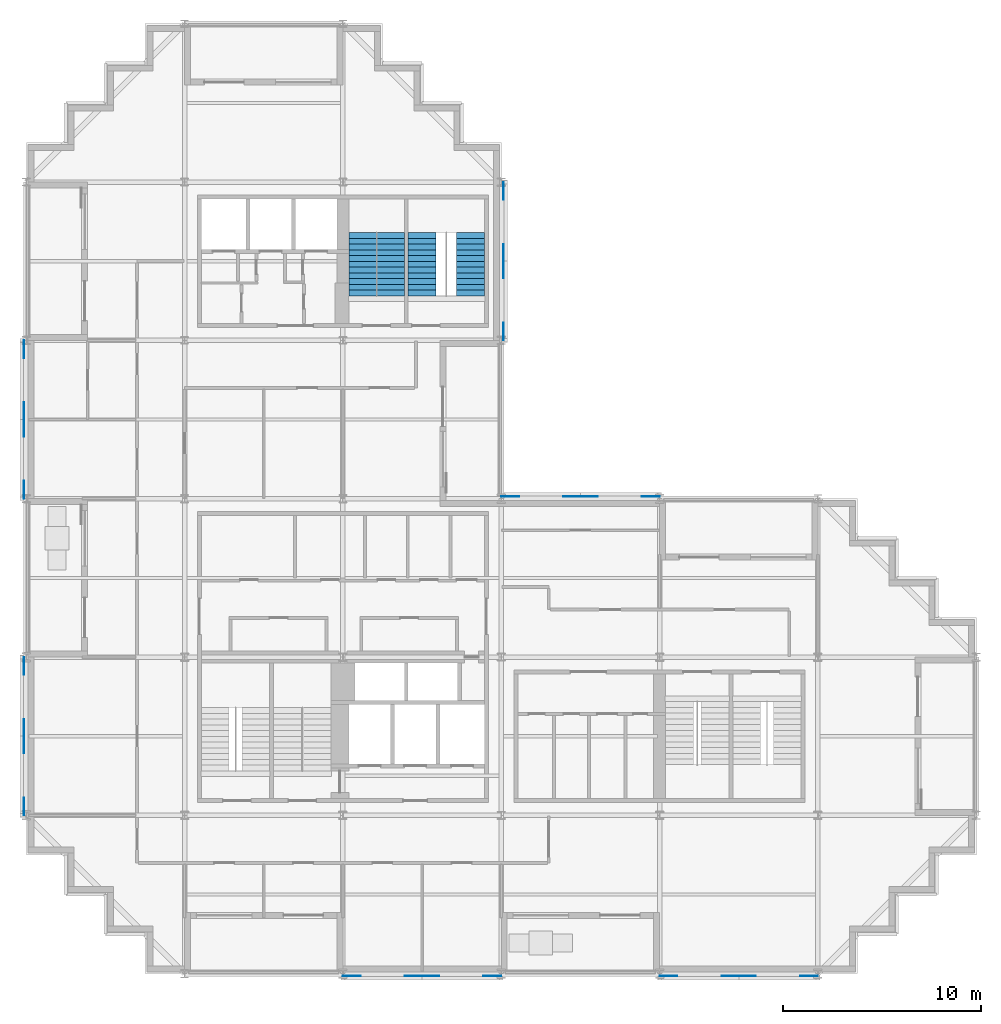
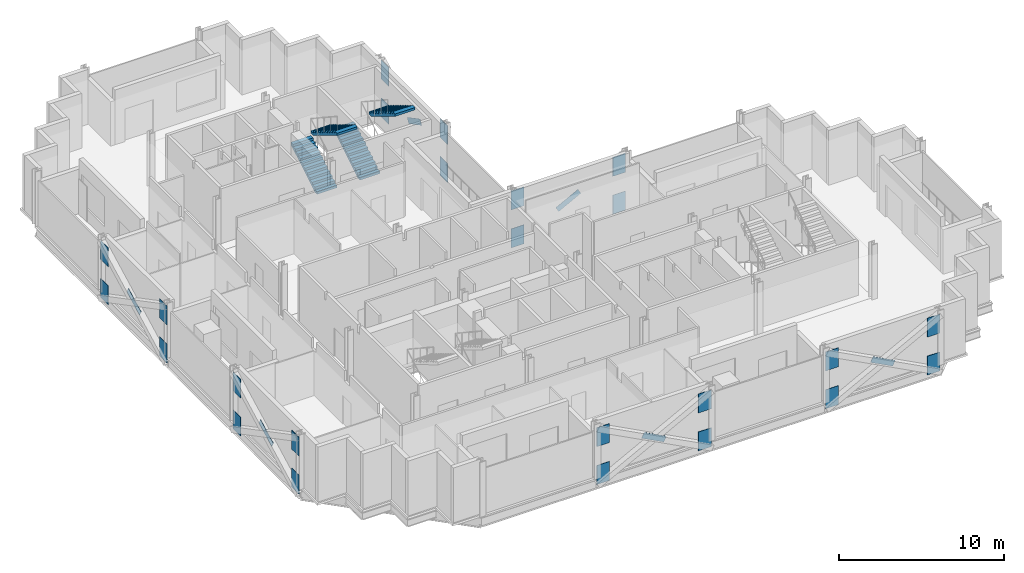
# One storey, part 10 of 13: 30 discrete accessories, 4 stair flights, 2 elements without a shape of their own.
"""IFC4 building model written with IfcOpenShell, lengths in metres."""

from ifc_helpers import new_model, si_unit, direction, frame, origin, origin_2d, place, context, subcontext, project, spatial, polyline, rectangle, outline, extrude, material, material_profile, profile_set, type_object, element, aggregate, save


model = new_model("IFC4")

# Units and contexts
model_context = context("Model", 3, precision=1e-05, world=origin(), true_north=direction((0.0, 1.0)))
body_context = subcontext(model_context, "Body", "Model", "MODEL_VIEW")
ifc_project = project(units=[si_unit("LENGTHUNIT", "METRE"), si_unit("AREAUNIT", "SQUARE_METRE"), si_unit("VOLUMEUNIT", "CUBIC_METRE"), si_unit("PLANEANGLEUNIT", "RADIAN"), si_unit("MASSUNIT", "GRAM", prefix="KILO")], contexts=[model_context])

# Site, building, storey
site_placement = place(None, origin())
site = spatial("IfcSite", under=ifc_project, at=site_placement, CompositionType="ELEMENT")
building_placement = place(site_placement, origin())
building = spatial("IfcBuilding", under=site, at=building_placement, Name="Immortelle Media Tower", CompositionType="ELEMENT")
storey_placement = place(building_placement, frame((0.0, 0.0, 128.39990234375)))
storey = spatial("IfcBuildingStorey", under=building, at=storey_placement, Name="L25", CompositionType="ELEMENT", Elevation=128.39990234375)

# Stair, stair flights
ifc_material_1 = material(Name="Steel ASTM A992 Gr 50", Category="steel")
stair_type = type_object("IfcStairType", Name="Stair with flights", PredefinedType="DOUBLE_RETURN_STAIR", material=ifc_material_1)
stair_1_placement = place(storey_placement, origin())
stair_1 = element("IfcStair", 1, at=stair_1_placement, inside=storey, type_object=stair_type, Name="Exit stair NW1", PredefinedType="DOUBLE_RETURN_STAIR")
stair_flight_type = type_object("IfcStairFlightType", Name="Stair flight 1400", PredefinedType="STRAIGHT", material=ifc_material_1)
stair_flight_1_placement = place(storey_placement, frame((17.0, 34.25, 0.0), z_axis=(0.0, 0.0, 1.0), x_axis=(0.0, 1.0, 0.0)))
stair_flight_1 = element("IfcStairFlight", 2, at=stair_flight_1_placement, type_object=stair_flight_type, Name="ST NW1 flight 1", NumberOfRisers=12, NumberOfTreads=11, PredefinedType="STRAIGHT", RiserHeight=0.175, TreadLength=0.29, context=body_context, shape_type="SweptSolid", body=[
    extrude(outline(polyline([(0.0, 0.0), (0.0, 0.175048828125), (0.2900390625, 0.175048828125), (0.2900390625, 0.35009765625), (0.580078125, 0.35009765625), (0.580078125, 0.52490234375), (0.8701171875, 0.52490234375), (0.8701171875, 0.699951171875), (1.159912109375, 0.699951171875), (1.159912109375, 0.875), (1.449951171875, 0.875), (1.449951171875, 1.050048828125), (1.739990234375, 1.050048828125), (1.739990234375, 1.22509765625), (2.030029296875, 1.22509765625), (2.030029296875, 1.39990234375), (2.320068359375, 1.39990234375), (2.320068359375, 1.574951171875), (2.610107421875, 1.574951171875), (2.610107421875, 1.75), (2.89990234375, 1.75), (2.89990234375, 1.925048828125), (3.18994140625, 1.925048828125), (3.18994140625, 2.10009765625), (3.18994140625, 1.75), (0.2900390625, 0.0), (0.0, 0.0)])), frame((0.0, 0.699951171875, 0.0), z_axis=(0.0, -1.0, 0.0), x_axis=(1.0, 0.0, 0.0)), (0.0, 0.0, 1.0), 1.39990234375),
])
stair_flight_2_placement = place(storey_placement, frame((18.39990234375, 37.43994140625, 2.10009765625), z_axis=(0.0, 0.0, 1.0), x_axis=(0.0, -1.0, 0.0)))
stair_flight_2 = element("IfcStairFlight", 3, at=stair_flight_2_placement, type_object=stair_flight_type, Name="ST NW1 flight 2", NumberOfRisers=12, NumberOfTreads=11, PredefinedType="STRAIGHT", RiserHeight=0.175, TreadLength=0.29, context=body_context, shape_type="SweptSolid", body=[
    extrude(outline(polyline([(0.0, 0.0), (0.0, 0.175048828125), (0.2900390625, 0.175048828125), (0.2900390625, 0.35009765625), (0.580078125, 0.35009765625), (0.580078125, 0.52490234375), (0.8701171875, 0.52490234375), (0.8701171875, 0.699951171875), (1.159912109375, 0.699951171875), (1.159912109375, 0.875), (1.449951171875, 0.875), (1.449951171875, 1.050048828125), (1.739990234375, 1.050048828125), (1.739990234375, 1.22509765625), (2.030029296875, 1.22509765625), (2.030029296875, 1.39990234375), (2.320068359375, 1.39990234375), (2.320068359375, 1.574951171875), (2.610107421875, 1.574951171875), (2.610107421875, 1.75), (2.89990234375, 1.75), (2.89990234375, 1.925048828125), (3.18994140625, 1.925048828125), (3.18994140625, 2.10009765625), (3.18994140625, 1.75), (0.2900390625, 0.0), (0.0, 0.0)])), frame((0.0, 0.699951171875, 0.0), z_axis=(0.0, -1.0, 0.0), x_axis=(1.0, 0.0, 0.0)), (0.0, 0.0, 1.0), 1.39990234375),
])
aggregate(stair_1, [stair_flight_1, stair_flight_2])

stair_2_placement = place(storey_placement, origin())
stair_2 = element("IfcStair", 4, at=stair_2_placement, inside=storey, type_object=stair_type, Name="Exit stair NW2", PredefinedType="DOUBLE_RETURN_STAIR")
stair_flight_3_placement = place(storey_placement, frame((20.0, 34.25, 0.0), z_axis=(0.0, 0.0, 1.0), x_axis=(0.0, 1.0, 0.0)))
stair_flight_3 = element("IfcStairFlight", 5, at=stair_flight_3_placement, type_object=stair_flight_type, Name="ST NW2 flight 1", NumberOfRisers=12, NumberOfTreads=11, PredefinedType="STRAIGHT", RiserHeight=0.175, TreadLength=0.29, context=body_context, shape_type="SweptSolid", body=[
    extrude(outline(polyline([(0.0, 0.0), (0.0, 0.175048828125), (0.2900390625, 0.175048828125), (0.2900390625, 0.35009765625), (0.580078125, 0.35009765625), (0.580078125, 0.52490234375), (0.8701171875, 0.52490234375), (0.8701171875, 0.699951171875), (1.159912109375, 0.699951171875), (1.159912109375, 0.875), (1.449951171875, 0.875), (1.449951171875, 1.050048828125), (1.739990234375, 1.050048828125), (1.739990234375, 1.22509765625), (2.030029296875, 1.22509765625), (2.030029296875, 1.39990234375), (2.320068359375, 1.39990234375), (2.320068359375, 1.574951171875), (2.610107421875, 1.574951171875), (2.610107421875, 1.75), (2.89990234375, 1.75), (2.89990234375, 1.925048828125), (3.18994140625, 1.925048828125), (3.18994140625, 2.10009765625), (3.18994140625, 1.75), (0.2900390625, 0.0), (0.0, 0.0)])), frame((0.0, 0.699951171875, 0.0), z_axis=(0.0, -1.0, 0.0), x_axis=(1.0, 0.0, 0.0)), (0.0, 0.0, 1.0), 1.39990234375),
])
stair_flight_4_placement = place(storey_placement, frame((22.449951171875, 37.43994140625, 2.10009765625), z_axis=(0.0, 0.0, 1.0), x_axis=(0.0, -1.0, 0.0)))
stair_flight_4 = element("IfcStairFlight", 6, at=stair_flight_4_placement, type_object=stair_flight_type, Name="ST NW2 flight 2", NumberOfRisers=12, NumberOfTreads=11, PredefinedType="STRAIGHT", RiserHeight=0.175, TreadLength=0.29, context=body_context, shape_type="SweptSolid", body=[
    extrude(outline(polyline([(0.0, 0.0), (0.0, 0.175048828125), (0.2900390625, 0.175048828125), (0.2900390625, 0.35009765625), (0.580078125, 0.35009765625), (0.580078125, 0.52490234375), (0.8701171875, 0.52490234375), (0.8701171875, 0.699951171875), (1.159912109375, 0.699951171875), (1.159912109375, 0.875), (1.449951171875, 0.875), (1.449951171875, 1.050048828125), (1.739990234375, 1.050048828125), (1.739990234375, 1.22509765625), (2.030029296875, 1.22509765625), (2.030029296875, 1.39990234375), (2.320068359375, 1.39990234375), (2.320068359375, 1.574951171875), (2.610107421875, 1.574951171875), (2.610107421875, 1.75), (2.89990234375, 1.75), (2.89990234375, 1.925048828125), (3.18994140625, 1.925048828125), (3.18994140625, 2.10009765625), (3.18994140625, 1.75), (0.2900390625, 0.0), (0.0, 0.0)])), frame((0.0, 0.699951171875, 0.0), z_axis=(0.0, -1.0, 0.0), x_axis=(1.0, 0.0, 0.0)), (0.0, 0.0, 1.0), 1.39990234375),
])
aggregate(stair_2, [stair_flight_3, stair_flight_4])

# Discrete accessories
ifc_material_2 = material(Name="Steel ASTM A572 Gr 50", Category="steel")
ifc_material_profile_1 = material_profile(ifc_material_2, rectangle(XDim=0.02392578125, YDim=0.406005859375, at=origin_2d()), Name="PL 24 x 406")
ifc_profile_set_1 = profile_set([ifc_material_profile_1], Name="Steel ASTM A572 Gr 50")
discrete_accessory_type_1 = type_object("IfcDiscreteAccessoryType", Name="Crossing plate XP-BR4 1750 x 406 x 24", PredefinedType="USERDEFINED", material=ifc_profile_set_1)
for number, where, z_axis, x_axis, name in (
    (7, (28.774658203125, 24.113037109375, 2.01025390625), (-0.885377804934, 0.0, -0.464872178701), (0.0, -1.0, 0.0), "Crossing plate XP-BR4 of Brace D/4-5 A and Brace D/4-5 B"),
    (8, (24.113037109375, 35.225341796875, 2.01025390625), (0.0, 0.885377804934, -0.464872178701), (-1.0, 0.0, 0.0), "Crossing plate XP-BR4 of Brace 4/E-F A and Brace 4/E-F B"),
    (9, (-0.113037109375, 28.774658203125, 2.01025390625), (0.0, -0.885377804934, -0.464872178701), (1.0, 0.0, 0.0), "Crossing plate XP-BR4 of Brace 1/D-E A and Brace 1/D-E B"),
    (10, (-0.113037109375, 12.774658203125, 2.01025390625), (0.0, -0.885377804934, -0.464872178701), (1.0, 0.0, 0.0), "Crossing plate XP-BR4 of Brace 1/B-C A and Brace 1/B-C B"),
    (11, (19.225341796875, -0.113037109375, 2.01025390625), (0.885377804934, 0.0, -0.464872178701), (0.0, 1.0, 0.0), "Crossing plate XP-BR4 of Brace A/3-4 A and Brace A/3-4 B"),
    (12, (35.225341796875, -0.113037109375, 2.01025390625), (0.885377804934, 0.0, -0.464872178701), (0.0, 1.0, 0.0), "Crossing plate XP-BR4 of Brace A/5-6 A and Brace A/5-6 B"),
):
    element("IfcDiscreteAccessory", number, at=place(storey_placement, frame(where, z_axis=z_axis, x_axis=x_axis)), inside=storey, type_object=discrete_accessory_type_1, Name=name, ObjectType="CROSSING PLATE", PredefinedType="USERDEFINED", context=body_context, shape_type="SweptSolid", body=[
        extrude(rectangle(XDim=0.02392578125, YDim=0.406005859375, at=origin_2d()), origin(), (0.0, 0.0, 1.0), 1.75),
    ])
ifc_material_profile_2 = material_profile(ifc_material_2, rectangle(XDim=0.031982421875, YDim=1.39990234375, at=origin_2d()), Name="PL 32 x 1400")
ifc_profile_set_2 = profile_set([ifc_material_profile_2], Name="Steel ASTM A572 Gr 50")
discrete_accessory_type_2 = type_object("IfcDiscreteAccessoryType", Name="Gusset plate GP1 900 x 1400 x 32", PredefinedType="USERDEFINED", material=ifc_profile_set_2)
for number, where, z_axis, x_axis, name in (
    (13, (16.0, -0.113037109375, 0.20361328125), (1.0, 0.0, 0.0), (0.0, 1.0, 0.0), "Gusset plate GP1, lower end of Brace A/3-4 A"),
    (14, (24.0, -0.113037109375, 3.003662109375), (-1.0, 0.0, 0.0), (0.0, -1.0, 0.0), "Gusset plate GP1, upper end of Brace A/3-4 A"),
    (15, (24.0, -0.113037109375, 0.20361328125), (-1.0, 0.0, 0.0), (0.0, -1.0, 0.0), "Gusset plate GP1, lower end of Brace A/3-4 B"),
    (16, (16.0, -0.113037109375, 3.003662109375), (1.0, 0.0, 0.0), (0.0, 1.0, 0.0), "Gusset plate GP1, upper end of Brace A/3-4 B"),
    (17, (32.0, -0.113037109375, 0.20361328125), (1.0, 0.0, 0.0), (0.0, 1.0, 0.0), "Gusset plate GP1, lower end of Brace A/5-6 A"),
    (18, (40.0, -0.113037109375, 3.003662109375), (-1.0, 0.0, 0.0), (0.0, -1.0, 0.0), "Gusset plate GP1, upper end of Brace A/5-6 A"),
    (19, (40.0, -0.113037109375, 0.20361328125), (-1.0, 0.0, 0.0), (0.0, -1.0, 0.0), "Gusset plate GP1, lower end of Brace A/5-6 B"),
    (20, (32.0, -0.113037109375, 3.003662109375), (1.0, 0.0, 0.0), (0.0, 1.0, 0.0), "Gusset plate GP1, upper end of Brace A/5-6 B"),
    (21, (32.0, 24.113037109375, 0.20361328125), (-1.0, 0.0, 0.0), (0.0, -1.0, 0.0), "Gusset plate GP1, lower end of Brace D/4-5 A"),
    (22, (24.0, 24.113037109375, 3.003662109375), (1.0, 0.0, 0.0), (0.0, 1.0, 0.0), "Gusset plate GP1, upper end of Brace D/4-5 A"),
    (23, (24.0, 24.113037109375, 0.20361328125), (1.0, 0.0, 0.0), (0.0, 1.0, 0.0), "Gusset plate GP1, lower end of Brace D/4-5 B"),
    (24, (32.0, 24.113037109375, 3.003662109375), (-1.0, 0.0, 0.0), (0.0, -1.0, 0.0), "Gusset plate GP1, upper end of Brace D/4-5 B"),
    (25, (24.113037109375, 32.0, 0.20361328125), (0.0, 1.0, 0.0), (-1.0, 0.0, 0.0), "Gusset plate GP1, lower end of Brace 4/E-F A"),
    (26, (24.113037109375, 40.0, 3.003662109375), (0.0, -1.0, 0.0), (1.0, 0.0, 0.0), "Gusset plate GP1, upper end of Brace 4/E-F A"),
    (27, (24.113037109375, 40.0, 0.20361328125), (0.0, -1.0, 0.0), (1.0, 0.0, 0.0), "Gusset plate GP1, lower end of Brace 4/E-F B"),
    (28, (24.113037109375, 32.0, 3.003662109375), (0.0, 1.0, 0.0), (-1.0, 0.0, 0.0), "Gusset plate GP1, upper end of Brace 4/E-F B"),
    (29, (-0.113037109375, 32.0, 0.20361328125), (0.0, -1.0, 0.0), (1.0, 0.0, 0.0), "Gusset plate GP1, lower end of Brace 1/D-E A"),
    (30, (-0.113037109375, 24.0, 3.003662109375), (0.0, 1.0, 0.0), (-1.0, 0.0, 0.0), "Gusset plate GP1, upper end of Brace 1/D-E A"),
    (31, (-0.113037109375, 24.0, 0.20361328125), (0.0, 1.0, 0.0), (-1.0, 0.0, 0.0), "Gusset plate GP1, lower end of Brace 1/D-E B"),
    (32, (-0.113037109375, 32.0, 3.003662109375), (0.0, -1.0, 0.0), (1.0, 0.0, 0.0), "Gusset plate GP1, upper end of Brace 1/D-E B"),
    (33, (-0.113037109375, 16.0, 0.20361328125), (0.0, -1.0, 0.0), (1.0, 0.0, 0.0), "Gusset plate GP1, lower end of Brace 1/B-C A"),
    (34, (-0.113037109375, 8.0, 3.003662109375), (0.0, 1.0, 0.0), (-1.0, 0.0, 0.0), "Gusset plate GP1, upper end of Brace 1/B-C A"),
    (35, (-0.113037109375, 8.0, 0.20361328125), (0.0, 1.0, 0.0), (-1.0, 0.0, 0.0), "Gusset plate GP1, lower end of Brace 1/B-C B"),
    (36, (-0.113037109375, 16.0, 3.003662109375), (0.0, -1.0, 0.0), (1.0, 0.0, 0.0), "Gusset plate GP1, upper end of Brace 1/B-C B"),
):
    element("IfcDiscreteAccessory", number, at=place(storey_placement, frame(where, z_axis=z_axis, x_axis=x_axis)), inside=storey, type_object=discrete_accessory_type_2, Name=name, ObjectType="GUSSET PLATE", PredefinedType="USERDEFINED", context=body_context, shape_type="SweptSolid", body=[
        extrude(rectangle(XDim=0.031982421875, YDim=1.39990234375, at=origin_2d()), origin(), (0.0, 0.0, 1.0), 0.89990234375),
    ])

save(model, "model.ifc")
